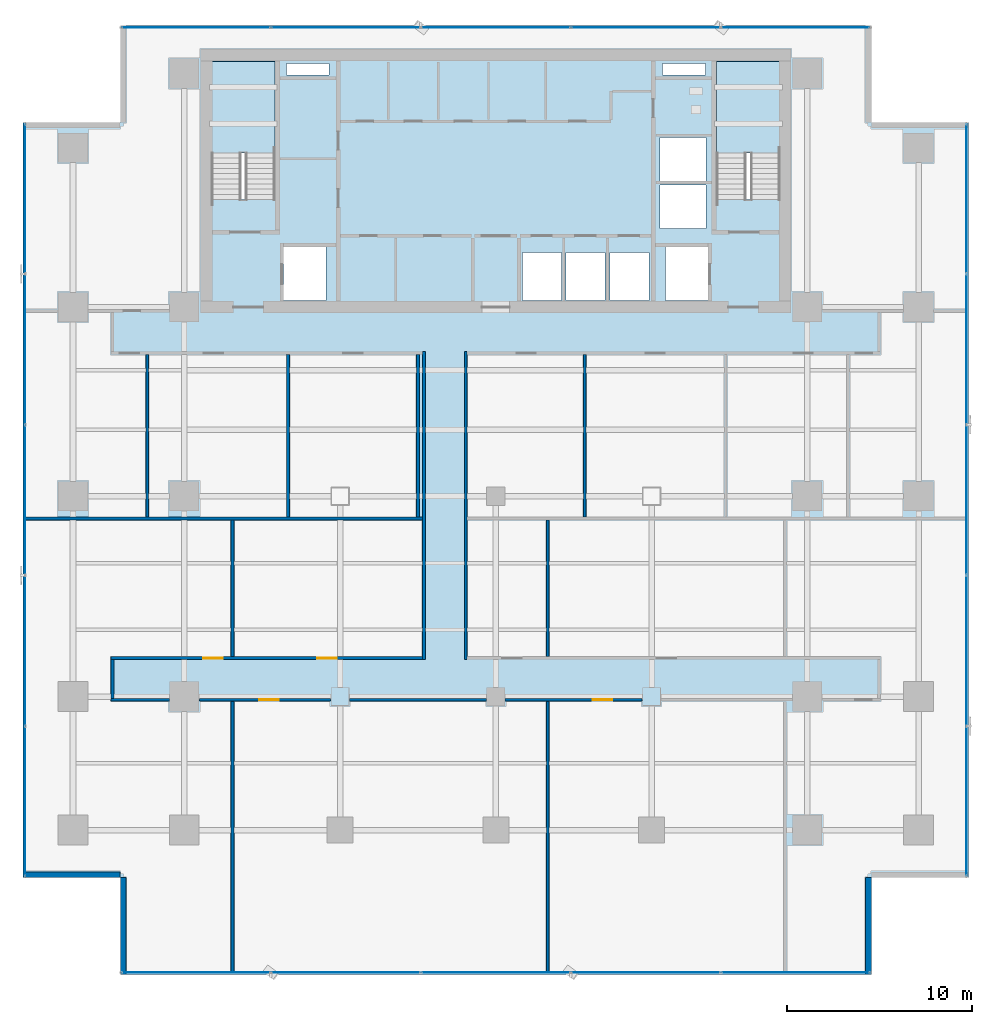
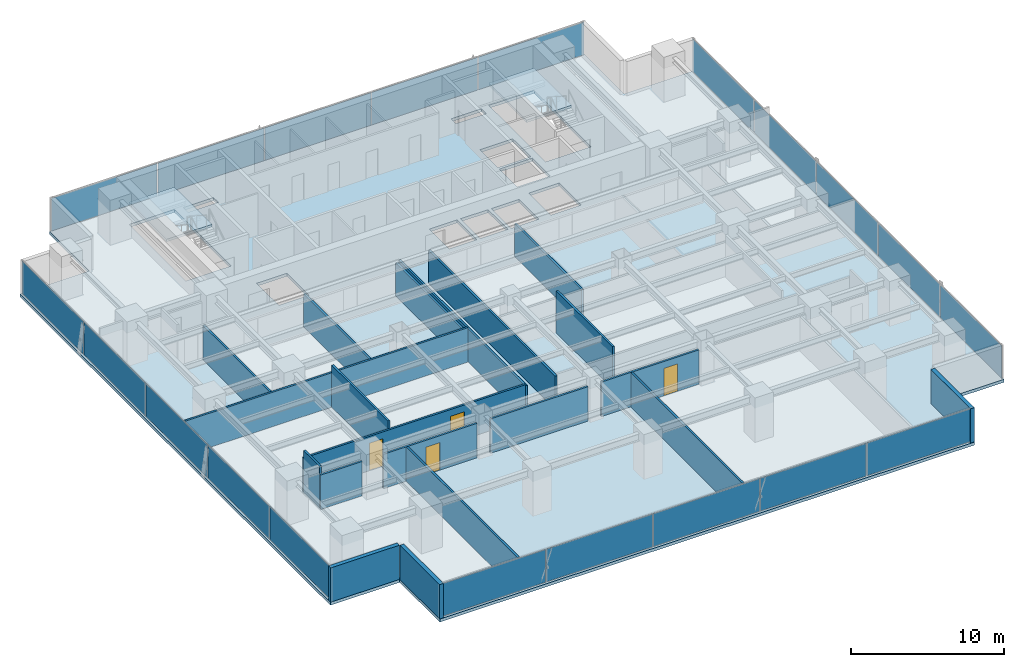
# One storey, part 27 of 36: 20 plates, 20 walls, 4 doors, 3 slabs, 4 openings, 6 elements without a shape of their own.
"""IFC4 building model written with IfcOpenShell, lengths in metres."""

from ifc_helpers import new_model, si_unit, direction, frame, frame_2d, origin, origin_2d, place, context, subcontext, project, spatial, polyline, rectangle, outline, extrude, source, transform, mapped, material, layer, layer_set, type_object, element, fill, aggregate, save


model = new_model("IFC4")

# Units and contexts
model_context = context("Model", 3, precision=1e-05, world=origin(), true_north=direction((0.0, 1.0)))
body_context = subcontext(model_context, "Body", "Model", "MODEL_VIEW")
ifc_project = project(units=[si_unit("LENGTHUNIT", "METRE"), si_unit("AREAUNIT", "SQUARE_METRE"), si_unit("VOLUMEUNIT", "CUBIC_METRE"), si_unit("PLANEANGLEUNIT", "RADIAN"), si_unit("MASSUNIT", "GRAM", prefix="KILO")], contexts=[model_context])

# Site, building, storey
site_placement = place(None, origin())
site = spatial("IfcSite", under=ifc_project, at=site_placement, CompositionType="ELEMENT")
building_placement = place(site_placement, origin())
building = spatial("IfcBuilding", under=site, at=building_placement, Name="Sumidabori Civic Tower", CompositionType="ELEMENT")
storey_placement = place(building_placement, frame((0.0, 0.0, 92.0)))
storey = spatial("IfcBuildingStorey", under=building, at=storey_placement, Name="L23", CompositionType="ELEMENT", Elevation=92.0)

# Stair, slab
ifc_material_1 = material(Name="Concrete C40/50", Category="concrete")
stair_type = type_object("IfcStairType", Name="ST-CORE-1600", PredefinedType="HALF_TURN_STAIR", material=ifc_material_1)
stair_1_placement = place(storey_placement, origin())
stair_1 = element("IfcStair", 1, at=stair_1_placement, inside=storey, type_object=stair_type, Name="L23 ST-1", PredefinedType="HALF_TURN_STAIR")
ifc_layer_1 = layer(ifc_material_1, 0.199951171875, Name="Concrete C40/50")
ifc_layer_set_1 = layer_set([ifc_layer_1], Name="Concrete C40/50")
slab_type_1 = type_object("IfcSlabType", Name="SL-LAND-200", PredefinedType="LANDING", material=ifc_layer_set_1)
slab_1_placement = place(storey_placement, frame((0.0, 0.0, 1.60009765625)))
slab_1 = element("IfcSlab", 2, at=slab_1_placement, type_object=slab_type_1, Name="ST-1 landing 1", PredefinedType="LANDING", context=body_context, shape_type="SweptSolid", body=[
    extrude(outline(polyline([(-11.89990234375, 18.52001953125), (-11.89990234375, 23.449951171875), (-15.340087890625, 23.449951171875), (-15.340087890625, 18.52001953125), (-11.89990234375, 18.52001953125)])), origin(), (0.0, 0.0, 1.0), 0.199951171875),
])
aggregate(stair_1, [slab_1])

stair_2_placement = place(storey_placement, origin())
stair_2 = element("IfcStair", 3, at=stair_2_placement, inside=storey, type_object=stair_type, Name="L23 ST-2", PredefinedType="HALF_TURN_STAIR")
slab_2_placement = place(storey_placement, frame((0.0, 0.0, 1.60009765625)))
slab_2 = element("IfcSlab", 4, at=slab_2_placement, type_object=slab_type_1, Name="ST-2 landing 1", PredefinedType="LANDING", context=body_context, shape_type="SweptSolid", body=[
    extrude(outline(polyline([(15.340087890625, 18.52001953125), (15.340087890625, 23.449951171875), (11.89990234375, 23.449951171875), (11.89990234375, 18.52001953125), (15.340087890625, 18.52001953125)])), origin(), (0.0, 0.0, 1.0), 0.199951171875),
])
aggregate(stair_2, [slab_2])

# Slab
ifc_layer_2 = layer(ifc_material_1, 0.239990234375, Name="Concrete C40/50")
ifc_layer_set_2 = layer_set([ifc_layer_2], Name="Concrete C40/50")
slab_type_2 = type_object("IfcSlabType", Name="SL-Z1-240", PredefinedType="FLOOR", material=ifc_layer_set_2)
slab_3_placement = place(storey_placement, frame((0.0, 0.0, -0.239990234375)))
element("IfcSlab", 5, at=slab_3_placement, inside=storey, type_object=slab_type_2, Name="Structural Slab L23", PredefinedType="FLOOR", context=body_context, shape_type="SweptSolid", body=[
    extrude(outline(polyline([(-20.25, -25.800048828125), (20.25, -25.800048828125), (20.25, -20.550048828125), (25.5, -20.550048828125), (25.5, 20.14990234375), (20.25, 20.14990234375), (20.25, 25.39990234375), (-20.25, 25.39990234375), (-20.25, 20.14990234375), (-25.5, 20.14990234375), (-25.5, -20.550048828125), (-20.25, -20.550048828125), (-20.25, -25.800048828125)]), holes=[polyline([(-11.89990234375, 16.0), (-11.89990234375, 23.449951171875), (-15.340087890625, 23.449951171875), (-15.340087890625, 16.0), (-11.89990234375, 16.0)]), polyline([(15.340087890625, 16.0), (15.340087890625, 23.449951171875), (11.89990234375, 23.449951171875), (11.89990234375, 16.0), (15.340087890625, 16.0)]), polyline([(-11.449951171875, 10.550048828125), (-9.14990234375, 10.550048828125), (-9.14990234375, 13.449951171875), (-11.449951171875, 13.449951171875), (-11.449951171875, 10.550048828125)]), polyline([(9.14990234375, 10.550048828125), (11.449951171875, 10.550048828125), (11.449951171875, 13.449951171875), (9.14990234375, 13.449951171875), (9.14990234375, 10.550048828125)]), polyline([(1.449951171875, 10.550048828125), (3.550048828125, 10.550048828125), (3.550048828125, 13.14990234375), (1.449951171875, 13.14990234375), (1.449951171875, 10.550048828125)]), polyline([(3.800048828125, 10.550048828125), (5.89990234375, 10.550048828125), (5.89990234375, 13.14990234375), (3.800048828125, 13.14990234375), (3.800048828125, 10.550048828125)]), polyline([(6.14990234375, 10.550048828125), (8.25, 10.550048828125), (8.25, 13.14990234375), (6.14990234375, 13.14990234375), (6.14990234375, 10.550048828125)]), polyline([(8.85009765625, 14.449951171875), (11.35009765625, 14.449951171875), (11.35009765625, 16.800048828125), (8.85009765625, 16.800048828125), (8.85009765625, 14.449951171875)]), polyline([(8.85009765625, 17.0), (11.35009765625, 17.0), (11.35009765625, 19.35009765625), (8.85009765625, 19.35009765625), (8.85009765625, 17.0)]), polyline([(-11.300048828125, 22.719970703125), (-9.0, 22.719970703125), (-9.0, 23.35009765625), (-11.300048828125, 23.35009765625), (-11.300048828125, 22.719970703125)]), polyline([(9.0, 22.719970703125), (11.300048828125, 22.719970703125), (11.300048828125, 23.35009765625), (9.0, 23.35009765625), (9.0, 22.719970703125)])]), origin(), (0.0, 0.0, 1.0), 0.239990234375),
])

# Curtain wall, plates
ifc_material_2 = material(Name="Anodised Bronze Aluminium AW-6063-T6", Category="aluminium")
ifc_layer_3 = layer(ifc_material_2, 0.179931640625, Name="Anodised Bronze Aluminium AW-6063-T6")
ifc_layer_set_3 = layer_set([ifc_layer_3], Name="Anodised Bronze Aluminium AW-6063-T6")
curtain_wall_type = type_object("IfcCurtainWallType", Name="CW-SYS-3", PredefinedType="NOTDEFINED", material=ifc_layer_set_3)
curtain_wall_1_placement = place(storey_placement, origin())
curtain_wall_1 = element("IfcCurtainWall", 6, at=curtain_wall_1_placement, inside=storey, type_object=curtain_wall_type, Name="Curtain Wall CW:L23:R01", PredefinedType="NOTDEFINED")
ifc_material_3 = material(Name="Low-E Solar-Control Vision Glazing", Category="glass")
ifc_layer_4 = layer(ifc_material_3, 0.028076171875, Name="Low-E Solar-Control Vision Glazing")
ifc_layer_set_4 = layer_set([ifc_layer_4], Name="Low-E Solar-Control Vision Glazing")
plate_type = type_object("IfcPlateType", Name="CW-PNL-28", PredefinedType="CURTAIN_PANEL", material=ifc_layer_set_4)
shared_shape_1 = source(origin(), body_context, "Body", "SweptSolid", [
    extrude(rectangle(XDim=7.990478515625, YDim=0.028076171875, at=origin_2d()), origin(), (0.0, 0.0, 1.0), 2.6201171875),
])
plate_1_placement = place(storey_placement, frame((-16.15966796875, -25.679931640625, 0.06005859375), z_axis=(0.0, 0.0, 1.0), x_axis=(1.0, 0.0, 0.0)))
plate_1 = element("IfcPlate", 7, at=plate_1_placement, type_object=plate_type, Name="CW-3 panel 1.1", PredefinedType="CURTAIN_PANEL", context=body_context, shape_type="MappedRepresentation", body=[
    mapped(shared_shape_1, transform((0.0, 0.0, 0.0), x_axis=(1.0, 0.0, 0.0), y_axis=(0.0, 1.0, 0.0), z_axis=(0.0, 0.0, 1.0), scale=1.0)),
])
plate_2_placement = place(storey_placement, frame((16.15966796875, -25.679931640625, 0.06005859375), z_axis=(0.0, 0.0, 1.0), x_axis=(1.0, 0.0, 0.0)))
plate_2 = element("IfcPlate", 8, at=plate_2_placement, type_object=plate_type, Name="CW-3 panel 5.1", PredefinedType="CURTAIN_PANEL", context=body_context, shape_type="MappedRepresentation", body=[
    mapped(shared_shape_1, transform((0.0, 0.0, 0.0), x_axis=(1.0, 0.0, 0.0), y_axis=(0.0, 1.0, 0.0), z_axis=(0.0, 0.0, 1.0), scale=1.0)),
])

curtain_wall_2_placement = place(storey_placement, origin())
curtain_wall_2 = element("IfcCurtainWall", 9, at=curtain_wall_2_placement, inside=storey, type_object=curtain_wall_type, Name="Curtain Wall CW:L23:R07", PredefinedType="NOTDEFINED")
plate_3_placement = place(storey_placement, frame((16.15966796875, 25.280029296875, 0.06005859375), z_axis=(0.0, 0.0, 1.0), x_axis=(-1.0, 0.0, 0.0)))
plate_3 = element("IfcPlate", 10, at=plate_3_placement, type_object=plate_type, Name="CW-3 panel 1.1", PredefinedType="CURTAIN_PANEL", context=body_context, shape_type="MappedRepresentation", body=[
    mapped(shared_shape_1, transform((0.0, 0.0, 0.0), x_axis=(1.0, 0.0, 0.0), y_axis=(0.0, 1.0, 0.0), z_axis=(0.0, 0.0, 1.0), scale=1.0)),
])
plate_4_placement = place(storey_placement, frame((-16.15966796875, 25.280029296875, 0.06005859375), z_axis=(0.0, 0.0, 1.0), x_axis=(-1.0, 0.0, 0.0)))
plate_4 = element("IfcPlate", 11, at=plate_4_placement, type_object=plate_type, Name="CW-3 panel 5.1", PredefinedType="CURTAIN_PANEL", context=body_context, shape_type="MappedRepresentation", body=[
    mapped(shared_shape_1, transform((0.0, 0.0, 0.0), x_axis=(1.0, 0.0, 0.0), y_axis=(0.0, 1.0, 0.0), z_axis=(0.0, 0.0, 1.0), scale=1.0)),
])

# Plate
shared_shape_2 = source(origin(), body_context, "Body", "SweptSolid", [
    extrude(rectangle(XDim=8.02294921875, YDim=0.028076171875, at=origin_2d()), origin(), (0.0, 0.0, 1.0), 2.6201171875),
])
plate_5_placement = place(storey_placement, frame((-8.087890625, -25.679931640625, 0.06005859375), z_axis=(0.0, 0.0, 1.0), x_axis=(1.0, 0.0, 0.0)))
plate_5 = element("IfcPlate", 12, at=plate_5_placement, type_object=plate_type, Name="CW-3 panel 2.1", PredefinedType="CURTAIN_PANEL", context=body_context, shape_type="MappedRepresentation", body=[
    mapped(shared_shape_2, transform((0.0, 0.0, 0.0), x_axis=(1.0, 0.0, 0.0), y_axis=(0.0, 1.0, 0.0), z_axis=(0.0, 0.0, 1.0), scale=1.0)),
])

plate_6_placement = place(storey_placement, frame((0.0, -25.679931640625, 0.06005859375), z_axis=(0.0, 0.0, 1.0), x_axis=(1.0, 0.0, 0.0)))
plate_6 = element("IfcPlate", 13, at=plate_6_placement, type_object=plate_type, Name="CW-3 panel 3.1", PredefinedType="CURTAIN_PANEL", context=body_context, shape_type="MappedRepresentation", body=[
    mapped(shared_shape_2, transform((0.0, 0.0, 0.0), x_axis=(1.0, 0.0, 0.0), y_axis=(0.0, 1.0, 0.0), z_axis=(0.0, 0.0, 1.0), scale=1.0)),
])

plate_7_placement = place(storey_placement, frame((8.087890625, -25.679931640625, 0.06005859375), z_axis=(0.0, 0.0, 1.0), x_axis=(1.0, 0.0, 0.0)))
plate_7 = element("IfcPlate", 14, at=plate_7_placement, type_object=plate_type, Name="CW-3 panel 4.1", PredefinedType="CURTAIN_PANEL", context=body_context, shape_type="MappedRepresentation", body=[
    mapped(shared_shape_2, transform((0.0, 0.0, 0.0), x_axis=(1.0, 0.0, 0.0), y_axis=(0.0, 1.0, 0.0), z_axis=(0.0, 0.0, 1.0), scale=1.0)),
])

aggregate(curtain_wall_1, [plate_1, plate_5, plate_6, plate_7, plate_2])

plate_8_placement = place(storey_placement, frame((8.087890625, 25.280029296875, 0.06005859375), z_axis=(0.0, 0.0, 1.0), x_axis=(-1.0, 0.0, 0.0)))
plate_8 = element("IfcPlate", 15, at=plate_8_placement, type_object=plate_type, Name="CW-3 panel 2.1", PredefinedType="CURTAIN_PANEL", context=body_context, shape_type="MappedRepresentation", body=[
    mapped(shared_shape_2, transform((0.0, 0.0, 0.0), x_axis=(1.0, 0.0, 0.0), y_axis=(0.0, 1.0, 0.0), z_axis=(0.0, 0.0, 1.0), scale=1.0)),
])

plate_9_placement = place(storey_placement, frame((0.0, 25.280029296875, 0.06005859375), z_axis=(0.0, 0.0, 1.0), x_axis=(-1.0, 0.0, 0.0)))
plate_9 = element("IfcPlate", 16, at=plate_9_placement, type_object=plate_type, Name="CW-3 panel 3.1", PredefinedType="CURTAIN_PANEL", context=body_context, shape_type="MappedRepresentation", body=[
    mapped(shared_shape_2, transform((0.0, 0.0, 0.0), x_axis=(1.0, 0.0, 0.0), y_axis=(0.0, 1.0, 0.0), z_axis=(0.0, 0.0, 1.0), scale=1.0)),
])

plate_10_placement = place(storey_placement, frame((-8.087890625, 25.280029296875, 0.06005859375), z_axis=(0.0, 0.0, 1.0), x_axis=(-1.0, 0.0, 0.0)))
plate_10 = element("IfcPlate", 17, at=plate_10_placement, type_object=plate_type, Name="CW-3 panel 4.1", PredefinedType="CURTAIN_PANEL", context=body_context, shape_type="MappedRepresentation", body=[
    mapped(shared_shape_2, transform((0.0, 0.0, 0.0), x_axis=(1.0, 0.0, 0.0), y_axis=(0.0, 1.0, 0.0), z_axis=(0.0, 0.0, 1.0), scale=1.0)),
])

aggregate(curtain_wall_2, [plate_3, plate_8, plate_9, plate_10, plate_4])

# Curtain wall, plates
curtain_wall_3_placement = place(storey_placement, origin())
curtain_wall_3 = element("IfcCurtainWall", 18, at=curtain_wall_3_placement, inside=storey, type_object=curtain_wall_type, Name="Curtain Wall CW:L23:R04", PredefinedType="NOTDEFINED")
shared_shape_3 = source(origin(), body_context, "Body", "SweptSolid", [
    extrude(rectangle(XDim=8.030517578125, YDim=0.028076171875, at=origin_2d()), origin(), (0.0, 0.0, 1.0), 2.6201171875),
])
plate_11_placement = place(storey_placement, frame((25.3798828125, -16.439697265625, 0.06005859375), z_axis=(0.0, 0.0, 1.0), x_axis=(0.0, 1.0, 0.0)))
plate_11 = element("IfcPlate", 19, at=plate_11_placement, type_object=plate_type, Name="CW-3 panel 1.1", PredefinedType="CURTAIN_PANEL", context=body_context, shape_type="MappedRepresentation", body=[
    mapped(shared_shape_3, transform((0.0, 0.0, 0.0), x_axis=(1.0, 0.0, 0.0), y_axis=(0.0, 1.0, 0.0), z_axis=(0.0, 0.0, 1.0), scale=1.0)),
])
plate_12_placement = place(storey_placement, frame((25.3798828125, 16.039794921875, 0.06005859375), z_axis=(0.0, 0.0, 1.0), x_axis=(0.0, 1.0, 0.0)))
plate_12 = element("IfcPlate", 20, at=plate_12_placement, type_object=plate_type, Name="CW-3 panel 5.1", PredefinedType="CURTAIN_PANEL", context=body_context, shape_type="MappedRepresentation", body=[
    mapped(shared_shape_3, transform((0.0, 0.0, 0.0), x_axis=(1.0, 0.0, 0.0), y_axis=(0.0, 1.0, 0.0), z_axis=(0.0, 0.0, 1.0), scale=1.0)),
])

curtain_wall_4_placement = place(storey_placement, origin())
curtain_wall_4 = element("IfcCurtainWall", 21, at=curtain_wall_4_placement, inside=storey, type_object=curtain_wall_type, Name="Curtain Wall CW:L23:R10", PredefinedType="NOTDEFINED")
plate_13_placement = place(storey_placement, frame((-25.3798828125, 16.039794921875, 0.06005859375), z_axis=(0.0, 0.0, 1.0), x_axis=(0.0, -1.0, 0.0)))
plate_13 = element("IfcPlate", 22, at=plate_13_placement, type_object=plate_type, Name="CW-3 panel 1.1", PredefinedType="CURTAIN_PANEL", context=body_context, shape_type="MappedRepresentation", body=[
    mapped(shared_shape_3, transform((0.0, 0.0, 0.0), x_axis=(1.0, 0.0, 0.0), y_axis=(0.0, 1.0, 0.0), z_axis=(0.0, 0.0, 1.0), scale=1.0)),
])
plate_14_placement = place(storey_placement, frame((-25.3798828125, -16.439697265625, 0.06005859375), z_axis=(0.0, 0.0, 1.0), x_axis=(0.0, -1.0, 0.0)))
plate_14 = element("IfcPlate", 23, at=plate_14_placement, type_object=plate_type, Name="CW-3 panel 5.1", PredefinedType="CURTAIN_PANEL", context=body_context, shape_type="MappedRepresentation", body=[
    mapped(shared_shape_3, transform((0.0, 0.0, 0.0), x_axis=(1.0, 0.0, 0.0), y_axis=(0.0, 1.0, 0.0), z_axis=(0.0, 0.0, 1.0), scale=1.0)),
])

# Plate
shared_shape_4 = source(origin(), body_context, "Body", "SweptSolid", [
    extrude(rectangle(XDim=8.06298828125, YDim=0.028076171875, at=origin_2d()), origin(), (0.0, 0.0, 1.0), 2.6201171875),
])
plate_15_placement = place(storey_placement, frame((25.3798828125, -8.327880859375, 0.06005859375), z_axis=(0.0, 0.0, 1.0), x_axis=(0.0, 1.0, 0.0)))
plate_15 = element("IfcPlate", 24, at=plate_15_placement, type_object=plate_type, Name="CW-3 panel 2.1", PredefinedType="CURTAIN_PANEL", context=body_context, shape_type="MappedRepresentation", body=[
    mapped(shared_shape_4, transform((0.0, 0.0, 0.0), x_axis=(1.0, 0.0, 0.0), y_axis=(0.0, 1.0, 0.0), z_axis=(0.0, 0.0, 1.0), scale=1.0)),
])

plate_16_placement = place(storey_placement, frame((25.3798828125, -0.199951171875, 0.06005859375), z_axis=(0.0, 0.0, 1.0), x_axis=(0.0, 1.0, 0.0)))
plate_16 = element("IfcPlate", 25, at=plate_16_placement, type_object=plate_type, Name="CW-3 panel 3.1", PredefinedType="CURTAIN_PANEL", context=body_context, shape_type="MappedRepresentation", body=[
    mapped(shared_shape_4, transform((0.0, 0.0, 0.0), x_axis=(1.0, 0.0, 0.0), y_axis=(0.0, 1.0, 0.0), z_axis=(0.0, 0.0, 1.0), scale=1.0)),
])

plate_17_placement = place(storey_placement, frame((25.3798828125, 7.927978515625, 0.06005859375), z_axis=(0.0, 0.0, 1.0), x_axis=(0.0, 1.0, 0.0)))
plate_17 = element("IfcPlate", 26, at=plate_17_placement, type_object=plate_type, Name="CW-3 panel 4.1", PredefinedType="CURTAIN_PANEL", context=body_context, shape_type="MappedRepresentation", body=[
    mapped(shared_shape_4, transform((0.0, 0.0, 0.0), x_axis=(1.0, 0.0, 0.0), y_axis=(0.0, 1.0, 0.0), z_axis=(0.0, 0.0, 1.0), scale=1.0)),
])

aggregate(curtain_wall_3, [plate_11, plate_15, plate_16, plate_17, plate_12])

plate_18_placement = place(storey_placement, frame((-25.3798828125, 7.927978515625, 0.06005859375), z_axis=(0.0, 0.0, 1.0), x_axis=(0.0, -1.0, 0.0)))
plate_18 = element("IfcPlate", 27, at=plate_18_placement, type_object=plate_type, Name="CW-3 panel 2.1", PredefinedType="CURTAIN_PANEL", context=body_context, shape_type="MappedRepresentation", body=[
    mapped(shared_shape_4, transform((0.0, 0.0, 0.0), x_axis=(1.0, 0.0, 0.0), y_axis=(0.0, 1.0, 0.0), z_axis=(0.0, 0.0, 1.0), scale=1.0)),
])

plate_19_placement = place(storey_placement, frame((-25.3798828125, -0.199951171875, 0.06005859375), z_axis=(0.0, 0.0, 1.0), x_axis=(0.0, -1.0, 0.0)))
plate_19 = element("IfcPlate", 28, at=plate_19_placement, type_object=plate_type, Name="CW-3 panel 3.1", PredefinedType="CURTAIN_PANEL", context=body_context, shape_type="MappedRepresentation", body=[
    mapped(shared_shape_4, transform((0.0, 0.0, 0.0), x_axis=(1.0, 0.0, 0.0), y_axis=(0.0, 1.0, 0.0), z_axis=(0.0, 0.0, 1.0), scale=1.0)),
])

plate_20_placement = place(storey_placement, frame((-25.3798828125, -8.327880859375, 0.06005859375), z_axis=(0.0, 0.0, 1.0), x_axis=(0.0, -1.0, 0.0)))
plate_20 = element("IfcPlate", 29, at=plate_20_placement, type_object=plate_type, Name="CW-3 panel 4.1", PredefinedType="CURTAIN_PANEL", context=body_context, shape_type="MappedRepresentation", body=[
    mapped(shared_shape_4, transform((0.0, 0.0, 0.0), x_axis=(1.0, 0.0, 0.0), y_axis=(0.0, 1.0, 0.0), z_axis=(0.0, 0.0, 1.0), scale=1.0)),
])

aggregate(curtain_wall_4, [plate_13, plate_18, plate_19, plate_20, plate_14])

# Walls
ifc_material_4 = material(Name="Precast concrete C40/50", Category="concrete")
ifc_layer_5 = layer(ifc_material_4, 0.300048828125, Name="Precast concrete C40/50")
ifc_layer_set_5 = layer_set([ifc_layer_5], Name="Precast concrete C40/50")
wall_type_1 = type_object("IfcWallType", Name="WL-EXT-POD300", PredefinedType="STANDARD", material=ifc_layer_set_5)
shared_shape_5 = source(origin(), body_context, "Body", "SweptSolid", [
    extrude(rectangle(XDim=5.2099609375, YDim=0.300048828125, at=frame_2d((2.60498046875, 0.0))), origin(), (0.0, 0.0, 1.0), 2.739990234375),
])
for number, where, z_axis, x_axis, name in (
    (30, (20.10009765625, -25.780029296875, 0.0), (0.0, 0.0, 1.0), (0.0, 1.0, 0.0), "Notched Corner Spandrel Band L23-02"),
    (31, (-25.47998046875, -20.39990234375, 0.0), (0.0, 0.0, 1.0), (1.0, 0.0, 0.0), "Notched Corner Spandrel Band L23-11"),
    (32, (-20.10009765625, -20.570068359375, 0.0), (0.0, 0.0, 1.0), (0.0, -1.0, 0.0), "Notched Corner Spandrel Band L23-12"),
):
    element("IfcWall", number, at=place(storey_placement, frame(where, z_axis=z_axis, x_axis=x_axis)), inside=storey, type_object=wall_type_1, Name=name, PredefinedType="STANDARD", context=body_context, shape_type="MappedRepresentation", body=[
        mapped(shared_shape_5, transform((0.0, 0.0, 0.0), x_axis=(1.0, 0.0, 0.0), y_axis=(0.0, 1.0, 0.0), z_axis=(0.0, 0.0, 1.0), scale=1.0)),
    ])

# Wall, openings, doors
ifc_material_5 = material(Name="Gypsum Plasterboard Acoustic Partition")
ifc_layer_6 = layer(ifc_material_5, 0.14990234375, Name="Gypsum Plasterboard Acoustic Partition")
ifc_layer_set_6 = layer_set([ifc_layer_6], Name="Gypsum Plasterboard Acoustic Partition")
wall_type_2 = type_object("IfcWallType", Name="WL-PART-150", PredefinedType="PARTITIONING", material=ifc_layer_set_6)
shared_shape_6 = source(origin(), body_context, "Body", "SweptSolid", [
    extrude(rectangle(XDim=16.800048828125, YDim=0.14990234375, at=frame_2d((8.39990234375, 0.0))), origin(), (0.0, 0.0, 1.0), 2.7451171875),
])
wall_1_placement = place(storey_placement, frame((-20.75, -8.72509765625, 0.0), z_axis=(0.0, 0.0, 1.0), x_axis=(1.0, 0.0, 0.0)))
wall_1 = element("IfcWall", 33, at=wall_1_placement, inside=storey, type_object=wall_type_2, Name="Interior Partition WL:L23:CORR-MNW", PredefinedType="PARTITIONING", context=body_context, shape_type="MappedRepresentation", body=[
    mapped(shared_shape_6, transform((0.0, 0.0, 0.0), x_axis=(1.0, 0.0, 0.0), y_axis=(0.0, 1.0, 0.0), z_axis=(0.0, 0.0, 1.0), scale=1.0)),
])
opening_1_placement = place(wall_1_placement, frame((11.132568359375, 0.0, 0.0)))
opening_1 = element("IfcOpeningElement", 34, at=opening_1_placement, cuts=wall_1, Name="Opening DR-4", PredefinedType="OPENING", context=body_context, shape_type="SweptSolid", body=[
    extrude(rectangle(XDim=1.0400390625, YDim=2.199951171875, at=frame_2d((0.52001953125, 1.10009765625))), frame((0.0, 0.0869140625, 0.0), z_axis=(0.0, -1.0, 0.0), x_axis=(1.0, 0.0, 0.0)), (0.0, 0.0, 1.0), 0.173828125),
])
opening_2_placement = place(wall_1_placement, frame((4.9775390625, 0.0, 0.0)))
opening_2 = element("IfcOpeningElement", 35, at=opening_2_placement, cuts=wall_1, Name="Opening DR-4", PredefinedType="OPENING", context=body_context, shape_type="SweptSolid", body=[
    extrude(rectangle(XDim=1.0400390625, YDim=2.199951171875, at=frame_2d((0.52001953125, 1.10009765625))), frame((0.0, 0.0869140625, 0.0), z_axis=(0.0, -1.0, 0.0), x_axis=(1.0, 0.0, 0.0)), (0.0, 0.0, 1.0), 0.173828125),
])
ifc_material_6 = material(Name="Japanese Hinoki Timber", Category="wood")
door_type = type_object("IfcDoorType", Name="DR-INT-1040", OperationType="NOTDEFINED", PredefinedType="DOOR", material=ifc_material_6)
shared_shape_7 = source(origin(), body_context, "Body", "SweptSolid", [
    extrude(rectangle(XDim=1.0400390625, YDim=2.199951171875, at=frame_2d((0.52001953125, 1.10009765625))), frame((0.0, 0.02490234375, 0.0), z_axis=(0.0, -1.0, 0.0), x_axis=(1.0, 0.0, 0.0)), (0.0, 0.0, 1.0), 0.050048828125),
])
door_1_placement = place(opening_1_placement, origin())
door_1 = element("IfcDoor", 36, at=door_1_placement, inside=storey, type_object=door_type, Name="Door DR:L23:D09", OperationType="SINGLE_SWING_LEFT", OverallHeight=2.199951171875, OverallWidth=1.0400390625, PredefinedType="DOOR", context=body_context, shape_type="MappedRepresentation", body=[
    mapped(shared_shape_7, transform((0.0, 0.0, 0.0), x_axis=(1.0, 0.0, 0.0), y_axis=(0.0, 1.0, 0.0), z_axis=(0.0, 0.0, 1.0), scale=1.0)),
])
fill(opening_1, door_1)
door_2_placement = place(opening_2_placement, origin())
door_2 = element("IfcDoor", 37, at=door_2_placement, inside=storey, type_object=door_type, Name="Door DR:L23:D13", OperationType="SINGLE_SWING_LEFT", OverallHeight=2.199951171875, OverallWidth=1.0400390625, PredefinedType="DOOR", context=body_context, shape_type="MappedRepresentation", body=[
    mapped(shared_shape_7, transform((0.0, 0.0, 0.0), x_axis=(1.0, 0.0, 0.0), y_axis=(0.0, 1.0, 0.0), z_axis=(0.0, 0.0, 1.0), scale=1.0)),
])
fill(opening_2, door_2)

# Wall
shared_shape_8 = source(origin(), body_context, "Body", "SweptSolid", [
    extrude(rectangle(XDim=3.139892578125, YDim=0.14990234375, at=frame_2d((1.56982421875, 0.0))), origin(), (0.0, 0.0, 1.0), 2.7451171875),
])
wall_2_placement = place(storey_placement, frame((-20.75, -10.97509765625, 0.0), z_axis=(0.0, 0.0, 1.0), x_axis=(1.0, 0.0, 0.0)))
element("IfcWall", 38, at=wall_2_placement, inside=storey, type_object=wall_type_2, Name="Interior Partition WL:L23:CORR-SS-1", PredefinedType="PARTITIONING", context=body_context, shape_type="MappedRepresentation", body=[
    mapped(shared_shape_8, transform((0.0, 0.0, 0.0), x_axis=(1.0, 0.0, 0.0), y_axis=(0.0, 1.0, 0.0), z_axis=(0.0, 0.0, 1.0), scale=1.0)),
])

# Wall, opening, door
shared_shape_9 = source(origin(), body_context, "Body", "SweptSolid", [
    extrude(rectangle(XDim=7.080078125, YDim=0.14990234375, at=frame_2d((3.5400390625, 0.0))), origin(), (0.0, 0.0, 1.0), 2.7451171875),
])
wall_3_placement = place(storey_placement, frame((-15.989990234375, -10.97509765625, 0.0), z_axis=(0.0, 0.0, 1.0), x_axis=(1.0, 0.0, 0.0)))
wall_3 = element("IfcWall", 39, at=wall_3_placement, inside=storey, type_object=wall_type_2, Name="Interior Partition WL:L23:CORR-SS-2", PredefinedType="PARTITIONING", context=body_context, shape_type="MappedRepresentation", body=[
    mapped(shared_shape_9, transform((0.0, 0.0, 0.0), x_axis=(1.0, 0.0, 0.0), y_axis=(0.0, 1.0, 0.0), z_axis=(0.0, 0.0, 1.0), scale=1.0)),
])
opening_3_placement = place(wall_3_placement, frame((3.232421875, 0.0, 0.0)))
opening_3 = element("IfcOpeningElement", 40, at=opening_3_placement, cuts=wall_3, Name="Opening DR-4", PredefinedType="OPENING", context=body_context, shape_type="SweptSolid", body=[
    extrude(rectangle(XDim=1.0400390625, YDim=2.199951171875, at=frame_2d((0.52001953125, 1.10009765625))), frame((0.0, 0.0869140625, 0.0), z_axis=(0.0, -1.0, 0.0), x_axis=(1.0, 0.0, 0.0)), (0.0, 0.0, 1.0), 0.173828125),
])
door_3_placement = place(opening_3_placement, origin())
door_3 = element("IfcDoor", 41, at=door_3_placement, inside=storey, type_object=door_type, Name="Door DR:L23:D14", OperationType="SINGLE_SWING_RIGHT", OverallHeight=2.199951171875, OverallWidth=1.0400390625, PredefinedType="DOOR", context=body_context, shape_type="MappedRepresentation", body=[
    mapped(shared_shape_7, transform((0.0, 0.0, 0.0), x_axis=(1.0, 0.0, 0.0), y_axis=(0.0, 1.0, 0.0), z_axis=(0.0, 0.0, 1.0), scale=1.0)),
])
fill(opening_3, door_3)

# Wall
shared_shape_10 = source(origin(), body_context, "Body", "SweptSolid", [
    extrude(rectangle(XDim=7.3798828125, YDim=0.14990234375, at=frame_2d((3.68994140625, 0.0))), origin(), (0.0, 0.0, 1.0), 2.7451171875),
])
wall_4_placement = place(storey_placement, frame((-7.889892578125, -10.97509765625, 0.0), z_axis=(0.0, 0.0, 1.0), x_axis=(1.0, 0.0, 0.0)))
element("IfcWall", 42, at=wall_4_placement, inside=storey, type_object=wall_type_2, Name="Interior Partition WL:L23:CORR-SS-3", PredefinedType="PARTITIONING", context=body_context, shape_type="MappedRepresentation", body=[
    mapped(shared_shape_10, transform((0.0, 0.0, 0.0), x_axis=(1.0, 0.0, 0.0), y_axis=(0.0, 1.0, 0.0), z_axis=(0.0, 0.0, 1.0), scale=1.0)),
])

# Wall, opening, door
wall_5_placement = place(storey_placement, frame((0.510009765625, -10.97509765625, 0.0), z_axis=(0.0, 0.0, 1.0), x_axis=(1.0, 0.0, 0.0)))
wall_5 = element("IfcWall", 43, at=wall_5_placement, inside=storey, type_object=wall_type_2, Name="Interior Partition WL:L23:CORR-SS-4", PredefinedType="PARTITIONING", context=body_context, shape_type="MappedRepresentation", body=[
    mapped(shared_shape_10, transform((0.0, 0.0, 0.0), x_axis=(1.0, 0.0, 0.0), y_axis=(0.0, 1.0, 0.0), z_axis=(0.0, 0.0, 1.0), scale=1.0)),
])
opening_4_placement = place(wall_5_placement, frame((4.732421875, 0.0, 0.0)))
opening_4 = element("IfcOpeningElement", 44, at=opening_4_placement, cuts=wall_5, Name="Opening DR-4", PredefinedType="OPENING", context=body_context, shape_type="SweptSolid", body=[
    extrude(rectangle(XDim=1.0400390625, YDim=2.199951171875, at=frame_2d((0.52001953125, 1.10009765625))), frame((0.0, 0.0869140625, 0.0), z_axis=(0.0, -1.0, 0.0), x_axis=(1.0, 0.0, 0.0)), (0.0, 0.0, 1.0), 0.173828125),
])
door_4_placement = place(opening_4_placement, origin())
door_4 = element("IfcDoor", 45, at=door_4_placement, inside=storey, type_object=door_type, Name="Door DR:L23:D15", OperationType="SINGLE_SWING_LEFT", OverallHeight=2.199951171875, OverallWidth=1.0400390625, PredefinedType="DOOR", context=body_context, shape_type="MappedRepresentation", body=[
    mapped(shared_shape_7, transform((0.0, 0.0, 0.0), x_axis=(1.0, 0.0, 0.0), y_axis=(0.0, 1.0, 0.0), z_axis=(0.0, 0.0, 1.0), scale=1.0)),
])
fill(opening_4, door_4)

# Walls
shared_shape_11 = source(origin(), body_context, "Body", "SweptSolid", [
    extrude(rectangle(XDim=16.60009765625, YDim=0.14990234375, at=frame_2d((8.300048828125, 0.0))), origin(), (0.0, 0.0, 1.0), 2.64501953125),
])
for number, where, z_axis, x_axis, name in (
    (46, (-3.875, -8.800048828125, 0.0), (0.0, 0.0, 1.0), (0.0, 1.0, 0.0), "Interior Partition WL:L23:CORR-VSP-W"),
    (47, (-1.625, -8.800048828125, 0.0), (0.0, 0.0, 1.0), (0.0, 1.0, 0.0), "Interior Partition WL:L23:CORR-VSP-E"),
):
    element("IfcWall", number, at=place(storey_placement, frame(where, z_axis=z_axis, x_axis=x_axis)), inside=storey, type_object=wall_type_2, Name=name, PredefinedType="PARTITIONING", context=body_context, shape_type="MappedRepresentation", body=[
        mapped(shared_shape_11, transform((0.0, 0.0, 0.0), x_axis=(1.0, 0.0, 0.0), y_axis=(0.0, 1.0, 0.0), z_axis=(0.0, 0.0, 1.0), scale=1.0)),
    ])
shared_shape_12 = source(origin(), body_context, "Body", "SweptSolid", [
    extrude(rectangle(XDim=2.090087890625, YDim=0.14990234375, at=frame_2d((1.044921875, 0.0))), origin(), (0.0, 0.0, 1.0), 3.360107421875),
])
wall_6_placement = place(storey_placement, frame((-20.675048828125, -10.89501953125, 0.0), z_axis=(0.0, 0.0, 1.0), x_axis=(0.0, 1.0, 0.0)))
element("IfcWall", 48, at=wall_6_placement, inside=storey, type_object=wall_type_2, Name="Interior Partition WL:L23:CORR-VSW", PredefinedType="PARTITIONING", context=body_context, shape_type="MappedRepresentation", body=[
    mapped(shared_shape_12, transform((0.0, 0.0, 0.0), x_axis=(1.0, 0.0, 0.0), y_axis=(0.0, 1.0, 0.0), z_axis=(0.0, 0.0, 1.0), scale=1.0)),
])
shared_shape_13 = source(origin(), body_context, "Body", "SweptSolid", [
    extrude(rectangle(XDim=21.39501953125, YDim=0.14990234375, at=frame_2d((10.697509765625, 0.0))), origin(), (0.0, 0.0, 1.0), 2.7451171875),
])
wall_7_placement = place(storey_placement, frame((-25.35009765625, -1.199951171875, 0.0), z_axis=(0.0, 0.0, 1.0), x_axis=(1.0, 0.0, 0.0)))
element("IfcWall", 49, at=wall_7_placement, inside=storey, type_object=wall_type_2, Name="Interior Partition WL:L23:BAND-Y-1", PredefinedType="PARTITIONING", context=body_context, shape_type="MappedRepresentation", body=[
    mapped(shared_shape_13, transform((0.0, 0.0, 0.0), x_axis=(1.0, 0.0, 0.0), y_axis=(0.0, 1.0, 0.0), z_axis=(0.0, 0.0, 1.0), scale=1.0)),
])
shared_shape_14 = source(origin(), body_context, "Body", "SweptSolid", [
    extrude(rectangle(XDim=8.76513671875, YDim=0.14990234375, at=frame_2d((4.382568359375, 0.0))), origin(), (0.0, 0.0, 1.0), 2.7451171875),
])
wall_8_placement = place(storey_placement, frame((-18.800048828125, -1.1201171875, 0.0), z_axis=(0.0, 0.0, 1.0), x_axis=(0.0, 1.0, 0.0)))
element("IfcWall", 50, at=wall_8_placement, inside=storey, type_object=wall_type_2, Name="Interior Partition WL:L23:VX-N1", PredefinedType="PARTITIONING", context=body_context, shape_type="MappedRepresentation", body=[
    mapped(shared_shape_14, transform((0.0, 0.0, 0.0), x_axis=(1.0, 0.0, 0.0), y_axis=(0.0, 1.0, 0.0), z_axis=(0.0, 0.0, 1.0), scale=1.0)),
])
shared_shape_15 = source(origin(), body_context, "Body", "SweptSolid", [
    extrude(rectangle(XDim=8.76513671875, YDim=0.14990234375, at=frame_2d((4.382568359375, 0.0))), origin(), (0.0, 0.0, 1.0), 2.64501953125),
])
for number, where, z_axis, x_axis, name in (
    (51, (-11.199951171875, -1.1201171875, 0.0), (0.0, 0.0, 1.0), (0.0, 1.0, 0.0), "Interior Partition WL:L23:VX-N2"),
    (52, (-4.199951171875, -1.1201171875, 0.0), (0.0, 0.0, 1.0), (0.0, 1.0, 0.0), "Interior Partition WL:L23:VX-N3"),
    (53, (4.800048828125, -1.1201171875, 0.0), (0.0, 0.0, 1.0), (0.0, 1.0, 0.0), "Interior Partition WL:L23:VX-N4"),
):
    element("IfcWall", number, at=place(storey_placement, frame(where, z_axis=z_axis, x_axis=x_axis)), inside=storey, type_object=wall_type_2, Name=name, PredefinedType="PARTITIONING", context=body_context, shape_type="MappedRepresentation", body=[
        mapped(shared_shape_15, transform((0.0, 0.0, 0.0), x_axis=(1.0, 0.0, 0.0), y_axis=(0.0, 1.0, 0.0), z_axis=(0.0, 0.0, 1.0), scale=1.0)),
    ])
shared_shape_16 = source(origin(), body_context, "Body", "SweptSolid", [
    extrude(rectangle(XDim=14.594970703125, YDim=0.14990234375, at=frame_2d((7.29736328125, 0.0))), origin(), (0.0, 0.0, 1.0), 2.7451171875),
])
for number, where, z_axis, x_axis, name in (
    (54, (-14.199951171875, -25.64990234375, 0.0), (0.0, 0.0, 1.0), (0.0, 1.0, 0.0), "Interior Partition WL:L23:VX-S1-1"),
    (55, (2.800048828125, -25.64990234375, 0.0), (0.0, 0.0, 1.0), (0.0, 1.0, 0.0), "Interior Partition WL:L23:VX-S2-1"),
):
    element("IfcWall", number, at=place(storey_placement, frame(where, z_axis=z_axis, x_axis=x_axis)), inside=storey, type_object=wall_type_2, Name=name, PredefinedType="PARTITIONING", context=body_context, shape_type="MappedRepresentation", body=[
        mapped(shared_shape_16, transform((0.0, 0.0, 0.0), x_axis=(1.0, 0.0, 0.0), y_axis=(0.0, 1.0, 0.0), z_axis=(0.0, 0.0, 1.0), scale=1.0)),
    ])
shared_shape_17 = source(origin(), body_context, "Body", "SweptSolid", [
    extrude(rectangle(XDim=7.364990234375, YDim=0.14990234375, at=frame_2d((3.6826171875, 0.0))), origin(), (0.0, 0.0, 1.0), 3.360107421875),
])
for number, where, z_axis, x_axis, name in (
    (56, (-14.199951171875, -8.64501953125, 0.0), (0.0, 0.0, 1.0), (0.0, 1.0, 0.0), "Interior Partition WL:L23:VX-S1-2"),
    (57, (2.800048828125, -8.64501953125, 0.0), (0.0, 0.0, 1.0), (0.0, 1.0, 0.0), "Interior Partition WL:L23:VX-S2-2"),
):
    element("IfcWall", number, at=place(storey_placement, frame(where, z_axis=z_axis, x_axis=x_axis)), inside=storey, type_object=wall_type_2, Name=name, PredefinedType="PARTITIONING", context=body_context, shape_type="MappedRepresentation", body=[
        mapped(shared_shape_17, transform((0.0, 0.0, 0.0), x_axis=(1.0, 0.0, 0.0), y_axis=(0.0, 1.0, 0.0), z_axis=(0.0, 0.0, 1.0), scale=1.0)),
    ])

save(model, "model.ifc")
